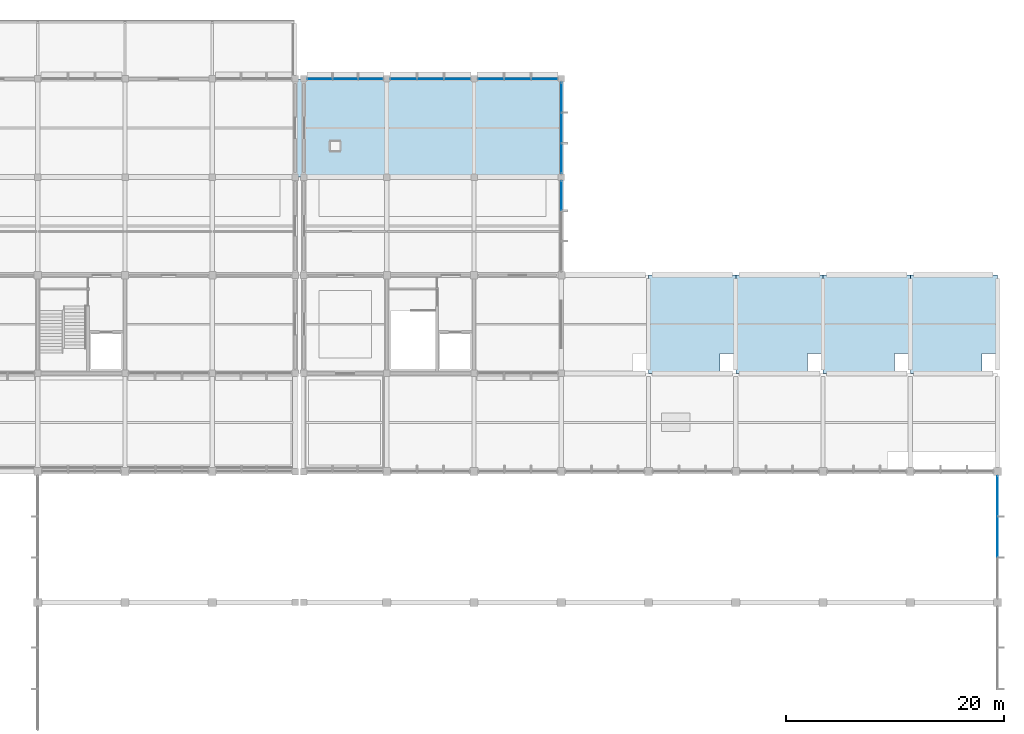
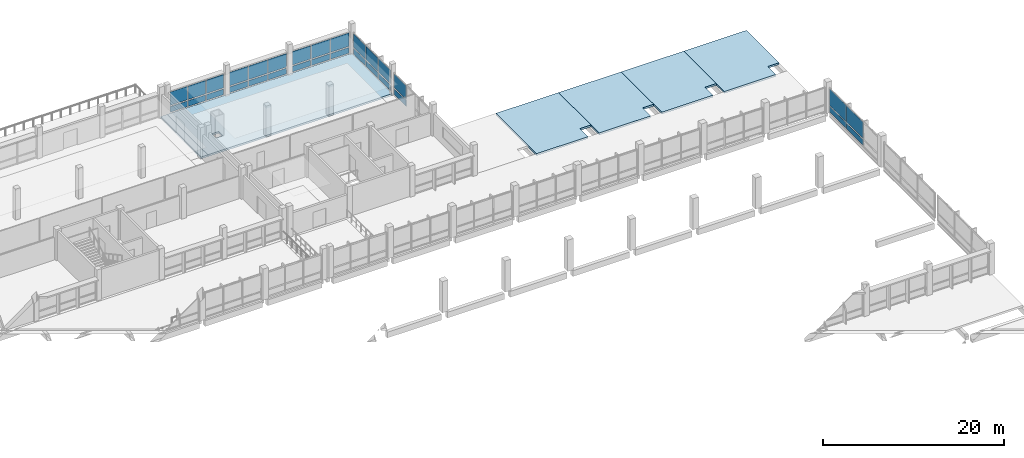
# One storey, part 54 of 70: 30 plates, 6 slabs, 6 elements without a shape of their own.
"""IFC4 building model written with IfcOpenShell, lengths in metres."""

from ifc_helpers import new_model, si_unit, direction, frame, origin, origin_2d, place, context, subcontext, project, spatial, polyline, rectangle, outline, extrude, material, layer, layer_set, type_object, element, aggregate, save


model = new_model("IFC4")

# Units and contexts
model_context = context("Model", 3, precision=1e-05, world=origin(), true_north=direction((0.0, 1.0)))
body_context = subcontext(model_context, "Body", "Model", "MODEL_VIEW")
ifc_project = project(units=[si_unit("LENGTHUNIT", "METRE"), si_unit("AREAUNIT", "SQUARE_METRE"), si_unit("VOLUMEUNIT", "CUBIC_METRE"), si_unit("PLANEANGLEUNIT", "RADIAN"), si_unit("MASSUNIT", "GRAM", prefix="KILO"), si_unit("THERMODYNAMICTEMPERATUREUNIT", "KELVIN"), si_unit("POWERUNIT", "WATT")], contexts=[model_context])

# Site, building, storey
site_placement = place(None, origin())
site = spatial("IfcSite", under=ifc_project, at=site_placement, CompositionType="ELEMENT")
building_placement = place(site_placement, origin())
building = spatial("IfcBuilding", under=site, at=building_placement, Name="Kronsvod Quay Wholesale Market", CompositionType="ELEMENT")
storey_placement = place(building_placement, frame((0.0, 0.0, 9.0)))
storey = spatial("IfcBuildingStorey", under=building, at=storey_placement, Name="L02", CompositionType="ELEMENT", Elevation=9.0)

# Curtain wall, plates
ifc_material_1 = material(Name="Thermally broken aluminium and triple low-E glazing", Category="aluminium")
curtain_wall_type_1 = type_object("IfcCurtainWallType", Name="CW_Harbour76x33", PredefinedType="NOTDEFINED", material=ifc_material_1)
curtain_wall_1_placement = place(storey_placement, origin())
curtain_wall_1 = element("IfcCurtainWall", 1, at=curtain_wall_1_placement, inside=storey, type_object=curtain_wall_type_1, Name="CWGX-L02-1284-1260", PredefinedType="NOTDEFINED")
ifc_material_2 = material(Name="Insulated aluminium spandrel panel", Category="aluminium")
ifc_layer_1 = layer(ifc_material_2, 0.048095703125)
ifc_layer_set_1 = layer_set([ifc_layer_1], Name="Insulated aluminium spandrel panel")
plate_type_1 = type_object("IfcPlateType", Name="CWPanel_SP2224x775", PredefinedType="CURTAIN_PANEL", material=ifc_layer_set_1)
plate_1_placement = place(storey_placement, frame((134.517822265625, 126.0, 0.150146484375), z_axis=(0.0, 0.0, 1.0), x_axis=(-1.0, 0.0, 0.0)))
plate_1 = element("IfcPlate", 2, at=plate_1_placement, type_object=plate_type_1, Name="CWGX-L02-1284-1260-PS1", PredefinedType="CURTAIN_PANEL", context=body_context, shape_type="SweptSolid", body=[
    extrude(rectangle(XDim=2.22412109375, YDim=0.048095703125, at=origin_2d()), origin(), (0.0, 0.0, 1.0), 0.77490234375),
])
plate_2_placement = place(storey_placement, frame((129.882080078125, 126.0, 0.150146484375), z_axis=(0.0, 0.0, 1.0), x_axis=(-1.0, 0.0, 0.0)))
plate_2 = element("IfcPlate", 3, at=plate_2_placement, type_object=plate_type_1, Name="CWGX-L02-1284-1260-PS3", PredefinedType="CURTAIN_PANEL", context=body_context, shape_type="SweptSolid", body=[
    extrude(rectangle(XDim=2.22412109375, YDim=0.048095703125, at=origin_2d()), origin(), (0.0, 0.0, 1.0), 0.77490234375),
])
ifc_material_3 = material(Name="Insulated aluminium spandrel panel", Category="aluminium")
ifc_layer_2 = layer(ifc_material_3, 0.048095703125)
ifc_layer_set_2 = layer_set([ifc_layer_2], Name="Insulated aluminium spandrel panel")
plate_type_2 = type_object("IfcPlateType", Name="CWPanel_SP2262x775", PredefinedType="CURTAIN_PANEL", material=ifc_layer_set_2)
plate_3_placement = place(storey_placement, frame((132.199951171875, 126.0, 0.150146484375), z_axis=(0.0, 0.0, 1.0), x_axis=(-1.0, 0.0, 0.0)))
plate_3 = element("IfcPlate", 4, at=plate_3_placement, type_object=plate_type_2, Name="CWGX-L02-1284-1260-PS2", PredefinedType="CURTAIN_PANEL", context=body_context, shape_type="SweptSolid", body=[
    extrude(rectangle(XDim=2.261962890625, YDim=0.048095703125, at=origin_2d()), origin(), (0.0, 0.0, 1.0), 0.77490234375),
])

ifc_material_4 = material(Name="Thermally broken aluminium and triple low-E glazing", Category="aluminium")
curtain_wall_type_2 = type_object("IfcCurtainWallType", Name="CW_Harbour80x33", PredefinedType="NOTDEFINED", material=ifc_material_4)
curtain_wall_2_placement = place(storey_placement, origin())
curtain_wall_2 = element("IfcCurtainWall", 5, at=curtain_wall_2_placement, inside=storey, type_object=curtain_wall_type_2, Name="CWGX-L02-1360-1260", PredefinedType="NOTDEFINED")
ifc_material_5 = material(Name="Insulated aluminium spandrel panel", Category="aluminium")
ifc_layer_3 = layer(ifc_material_5, 0.048095703125)
ifc_layer_set_3 = layer_set([ifc_layer_3], Name="Insulated aluminium spandrel panel")
plate_type_3 = type_object("IfcPlateType", Name="CWPanel_SP2358x775", PredefinedType="CURTAIN_PANEL", material=ifc_layer_set_3)
plate_4_placement = place(storey_placement, frame((142.451171875, 126.0, 0.150146484375), z_axis=(0.0, 0.0, 1.0), x_axis=(-1.0, 0.0, 0.0)))
plate_4 = element("IfcPlate", 6, at=plate_4_placement, type_object=plate_type_3, Name="CWGX-L02-1360-1260-PS1", PredefinedType="CURTAIN_PANEL", context=body_context, shape_type="SweptSolid", body=[
    extrude(rectangle(XDim=2.35791015625, YDim=0.048095703125, at=origin_2d()), origin(), (0.0, 0.0, 1.0), 0.77490234375),
])
plate_5_placement = place(storey_placement, frame((137.548828125, 126.0, 0.150146484375), z_axis=(0.0, 0.0, 1.0), x_axis=(-1.0, 0.0, 0.0)))
plate_5 = element("IfcPlate", 7, at=plate_5_placement, type_object=plate_type_3, Name="CWGX-L02-1360-1260-PS3", PredefinedType="CURTAIN_PANEL", context=body_context, shape_type="SweptSolid", body=[
    extrude(rectangle(XDim=2.35791015625, YDim=0.048095703125, at=origin_2d()), origin(), (0.0, 0.0, 1.0), 0.77490234375),
])

curtain_wall_3_placement = place(storey_placement, origin())
curtain_wall_3 = element("IfcCurtainWall", 8, at=curtain_wall_3_placement, inside=storey, type_object=curtain_wall_type_2, Name="CWGX-L02-1440-1260", PredefinedType="NOTDEFINED")
plate_6_placement = place(storey_placement, frame((150.451171875, 126.0, 0.150146484375), z_axis=(0.0, 0.0, 1.0), x_axis=(-1.0, 0.0, 0.0)))
plate_6 = element("IfcPlate", 9, at=plate_6_placement, type_object=plate_type_3, Name="CWGX-L02-1440-1260-PS1", PredefinedType="CURTAIN_PANEL", context=body_context, shape_type="SweptSolid", body=[
    extrude(rectangle(XDim=2.35791015625, YDim=0.048095703125, at=origin_2d()), origin(), (0.0, 0.0, 1.0), 0.77490234375),
])
plate_7_placement = place(storey_placement, frame((145.548828125, 126.0, 0.150146484375), z_axis=(0.0, 0.0, 1.0), x_axis=(-1.0, 0.0, 0.0)))
plate_7 = element("IfcPlate", 10, at=plate_7_placement, type_object=plate_type_3, Name="CWGX-L02-1440-1260-PS3", PredefinedType="CURTAIN_PANEL", context=body_context, shape_type="SweptSolid", body=[
    extrude(rectangle(XDim=2.35791015625, YDim=0.048095703125, at=origin_2d()), origin(), (0.0, 0.0, 1.0), 0.77490234375),
])

# Plate
ifc_material_6 = material(Name="Insulated aluminium spandrel panel", Category="aluminium")
ifc_layer_4 = layer(ifc_material_6, 0.048095703125)
ifc_layer_set_4 = layer_set([ifc_layer_4], Name="Insulated aluminium spandrel panel")
plate_type_4 = type_object("IfcPlateType", Name="CWPanel_SP2395x775", PredefinedType="CURTAIN_PANEL", material=ifc_layer_set_4)
plate_8_placement = place(storey_placement, frame((140.0, 126.0, 0.150146484375), z_axis=(0.0, 0.0, 1.0), x_axis=(-1.0, 0.0, 0.0)))
plate_8 = element("IfcPlate", 11, at=plate_8_placement, type_object=plate_type_4, Name="CWGX-L02-1360-1260-PS2", PredefinedType="CURTAIN_PANEL", context=body_context, shape_type="SweptSolid", body=[
    extrude(rectangle(XDim=2.39501953125, YDim=0.048095703125, at=origin_2d()), origin(), (0.0, 0.0, 1.0), 0.77490234375),
])

plate_9_placement = place(storey_placement, frame((148.0, 126.0, 0.150146484375), z_axis=(0.0, 0.0, 1.0), x_axis=(-1.0, 0.0, 0.0)))
plate_9 = element("IfcPlate", 12, at=plate_9_placement, type_object=plate_type_4, Name="CWGX-L02-1440-1260-PS2", PredefinedType="CURTAIN_PANEL", context=body_context, shape_type="SweptSolid", body=[
    extrude(rectangle(XDim=2.39501953125, YDim=0.048095703125, at=origin_2d()), origin(), (0.0, 0.0, 1.0), 0.77490234375),
])

# Curtain wall, plate
ifc_material_7 = material(Name="Thermally broken aluminium and triple low-E glazing", Category="aluminium")
curtain_wall_type_3 = type_object("IfcCurtainWallType", Name="CW_Wing90x33", PredefinedType="NOTDEFINED", material=ifc_material_7)
curtain_wall_4_placement = place(storey_placement, origin())
curtain_wall_4 = element("IfcCurtainWall", 13, at=curtain_wall_4_placement, inside=storey, type_object=curtain_wall_type_3, Name="CWGY-L02-1520-1080", PredefinedType="NOTDEFINED")
ifc_material_8 = material(Name="Insulated aluminium spandrel panel", Category="aluminium")
ifc_layer_5 = layer(ifc_material_8, 0.048095703125)
ifc_layer_set_5 = layer_set([ifc_layer_5], Name="Insulated aluminium spandrel panel")
plate_type_5 = type_object("IfcPlateType", Name="CWPanel_SP2683x775", PredefinedType="CURTAIN_PANEL", material=ifc_layer_set_5)
plate_10_placement = place(storey_placement, frame((152.0, 115.288818359375, 0.150146484375), z_axis=(0.0, 0.0, 1.0), x_axis=(0.0, 1.0, 0.0)))
plate_10 = element("IfcPlate", 14, at=plate_10_placement, type_object=plate_type_5, Name="CWGY-L02-1520-1080-PS3", PredefinedType="CURTAIN_PANEL", context=body_context, shape_type="SweptSolid", body=[
    extrude(rectangle(XDim=2.68310546875, YDim=0.048095703125, at=origin_2d()), origin(), (0.0, 0.0, 1.0), 0.77490234375),
])

# Curtain wall, plates
curtain_wall_5_placement = place(storey_placement, origin())
curtain_wall_5 = element("IfcCurtainWall", 15, at=curtain_wall_5_placement, inside=storey, type_object=curtain_wall_type_3, Name="CWGY-L02-1520-1170", PredefinedType="NOTDEFINED")
ifc_material_9 = material(Name="Insulated aluminium spandrel panel", Category="aluminium")
ifc_layer_6 = layer(ifc_material_9, 0.048095703125)
ifc_layer_set_6 = layer_set([ifc_layer_6], Name="Insulated aluminium spandrel panel")
plate_type_6 = type_object("IfcPlateType", Name="CWPanel_SP2691x775", PredefinedType="CURTAIN_PANEL", material=ifc_layer_set_6)
plate_11_placement = place(storey_placement, frame((152.0, 118.71533203125, 0.150146484375), z_axis=(0.0, 0.0, 1.0), x_axis=(0.0, 1.0, 0.0)))
plate_11 = element("IfcPlate", 16, at=plate_11_placement, type_object=plate_type_6, Name="CWGY-L02-1520-1170-PS1", PredefinedType="CURTAIN_PANEL", context=body_context, shape_type="SweptSolid", body=[
    extrude(rectangle(XDim=2.69091796875, YDim=0.048095703125, at=origin_2d()), origin(), (0.0, 0.0, 1.0), 0.77490234375),
])
plate_12_placement = place(storey_placement, frame((152.0, 124.28466796875, 0.150146484375), z_axis=(0.0, 0.0, 1.0), x_axis=(0.0, 1.0, 0.0)))
plate_12 = element("IfcPlate", 17, at=plate_12_placement, type_object=plate_type_6, Name="CWGY-L02-1520-1170-PS3", PredefinedType="CURTAIN_PANEL", context=body_context, shape_type="SweptSolid", body=[
    extrude(rectangle(XDim=2.69091796875, YDim=0.048095703125, at=origin_2d()), origin(), (0.0, 0.0, 1.0), 0.77490234375),
])
ifc_material_10 = material(Name="Insulated aluminium spandrel panel", Category="aluminium")
ifc_layer_7 = layer(ifc_material_10, 0.048095703125)
ifc_layer_set_7 = layer_set([ifc_layer_7], Name="Insulated aluminium spandrel panel")
plate_type_7 = type_object("IfcPlateType", Name="CWPanel_SP2728x775", PredefinedType="CURTAIN_PANEL", material=ifc_layer_set_7)
plate_13_placement = place(storey_placement, frame((152.0, 121.5, 0.150146484375), z_axis=(0.0, 0.0, 1.0), x_axis=(0.0, 1.0, 0.0)))
plate_13 = element("IfcPlate", 18, at=plate_13_placement, type_object=plate_type_7, Name="CWGY-L02-1520-1170-PS2", PredefinedType="CURTAIN_PANEL", context=body_context, shape_type="SweptSolid", body=[
    extrude(rectangle(XDim=2.72802734375, YDim=0.048095703125, at=origin_2d()), origin(), (0.0, 0.0, 1.0), 0.77490234375),
])

ifc_material_11 = material(Name="Thermally broken aluminium and triple low-E glazing", Category="aluminium")
curtain_wall_type_4 = type_object("IfcCurtainWallType", Name="CW_Flower120x32", PredefinedType="NOTDEFINED", material=ifc_material_11)
curtain_wall_6_placement = place(storey_placement, origin())
curtain_wall_6 = element("IfcCurtainWall", 19, at=curtain_wall_6_placement, inside=storey, type_object=curtain_wall_type_4, Name="CWGY-L02-1920-780", PredefinedType="NOTDEFINED")
ifc_material_12 = material(Name="Insulated aluminium spandrel panel", Category="aluminium")
ifc_layer_8 = layer(ifc_material_12, 0.048095703125)
ifc_layer_set_8 = layer_set([ifc_layer_8], Name="Insulated aluminium spandrel panel")
plate_type_8 = type_object("IfcPlateType", Name="CWPanel_SP3649x775", PredefinedType="CURTAIN_PANEL", material=ifc_layer_set_8)
plate_14_placement = place(storey_placement, frame((192.0, 87.75537109375, 0.150146484375), z_axis=(0.0, 0.0, 1.0), x_axis=(0.0, 1.0, 0.0)))
plate_14 = element("IfcPlate", 20, at=plate_14_placement, type_object=plate_type_8, Name="CWGY-L02-1920-780-PS3", PredefinedType="CURTAIN_PANEL", context=body_context, shape_type="SweptSolid", body=[
    extrude(rectangle(XDim=3.64892578125, YDim=0.048095703125, at=origin_2d()), origin(), (0.0, 0.0, 1.0), 0.77490234375),
])
ifc_material_13 = material(Name="Insulated aluminium spandrel panel", Category="aluminium")
ifc_layer_9 = layer(ifc_material_13, 0.048095703125)
ifc_layer_set_9 = layer_set([ifc_layer_9], Name="Insulated aluminium spandrel panel")
plate_type_9 = type_object("IfcPlateType", Name="CWPanel_SP3687x775", PredefinedType="CURTAIN_PANEL", material=ifc_layer_set_9)
plate_15_placement = place(storey_placement, frame((192.0, 84.012451171875, 0.150146484375), z_axis=(0.0, 0.0, 1.0), x_axis=(0.0, 1.0, 0.0)))
plate_15 = element("IfcPlate", 21, at=plate_15_placement, type_object=plate_type_9, Name="CWGY-L02-1920-780-PS2", PredefinedType="CURTAIN_PANEL", context=body_context, shape_type="SweptSolid", body=[
    extrude(rectangle(XDim=3.68701171875, YDim=0.048095703125, at=origin_2d()), origin(), (0.0, 0.0, 1.0), 0.77490234375),
])

# Plate
ifc_material_14 = material(Name="Triple low-E insulated glazing", Category="glass")
ifc_layer_10 = layer(ifc_material_14, 0.0439453125)
ifc_layer_set_10 = layer_set([ifc_layer_10], Name="Triple low-E insulated glazing")
plate_type_10 = type_object("IfcPlateType", Name="CWPanel_VS2224x1825", PredefinedType="CURTAIN_PANEL", material=ifc_layer_set_10)
plate_16_placement = place(storey_placement, frame((134.517822265625, 126.0, 1.0751953125), z_axis=(0.0, 0.0, 1.0), x_axis=(-1.0, 0.0, 0.0)))
plate_16 = element("IfcPlate", 22, at=plate_16_placement, type_object=plate_type_10, Name="CWGX-L02-1284-1260-PV1", PredefinedType="CURTAIN_PANEL", context=body_context, shape_type="SweptSolid", body=[
    extrude(rectangle(XDim=2.22412109375, YDim=0.0439453125, at=origin_2d()), origin(), (0.0, 0.0, 1.0), 1.824951171875),
])

plate_17_placement = place(storey_placement, frame((129.882080078125, 126.0, 1.0751953125), z_axis=(0.0, 0.0, 1.0), x_axis=(-1.0, 0.0, 0.0)))
plate_17 = element("IfcPlate", 23, at=plate_17_placement, type_object=plate_type_10, Name="CWGX-L02-1284-1260-PV3", PredefinedType="CURTAIN_PANEL", context=body_context, shape_type="SweptSolid", body=[
    extrude(rectangle(XDim=2.22412109375, YDim=0.0439453125, at=origin_2d()), origin(), (0.0, 0.0, 1.0), 1.824951171875),
])

ifc_material_15 = material(Name="Triple low-E insulated glazing", Category="glass")
ifc_layer_11 = layer(ifc_material_15, 0.0439453125)
ifc_layer_set_11 = layer_set([ifc_layer_11], Name="Triple low-E insulated glazing")
plate_type_11 = type_object("IfcPlateType", Name="CWPanel_VS2262x1825", PredefinedType="CURTAIN_PANEL", material=ifc_layer_set_11)
plate_18_placement = place(storey_placement, frame((132.199951171875, 126.0, 1.0751953125), z_axis=(0.0, 0.0, 1.0), x_axis=(-1.0, 0.0, 0.0)))
plate_18 = element("IfcPlate", 24, at=plate_18_placement, type_object=plate_type_11, Name="CWGX-L02-1284-1260-PV2", PredefinedType="CURTAIN_PANEL", context=body_context, shape_type="SweptSolid", body=[
    extrude(rectangle(XDim=2.261962890625, YDim=0.0439453125, at=origin_2d()), origin(), (0.0, 0.0, 1.0), 1.824951171875),
])

aggregate(curtain_wall_1, [plate_1, plate_16, plate_3, plate_18, plate_2, plate_17])

ifc_material_16 = material(Name="Triple low-E insulated glazing", Category="glass")
ifc_layer_12 = layer(ifc_material_16, 0.0439453125)
ifc_layer_set_12 = layer_set([ifc_layer_12], Name="Triple low-E insulated glazing")
plate_type_12 = type_object("IfcPlateType", Name="CWPanel_VS2358x1825", PredefinedType="CURTAIN_PANEL", material=ifc_layer_set_12)
plate_19_placement = place(storey_placement, frame((142.451171875, 126.0, 1.0751953125), z_axis=(0.0, 0.0, 1.0), x_axis=(-1.0, 0.0, 0.0)))
plate_19 = element("IfcPlate", 25, at=plate_19_placement, type_object=plate_type_12, Name="CWGX-L02-1360-1260-PV1", PredefinedType="CURTAIN_PANEL", context=body_context, shape_type="SweptSolid", body=[
    extrude(rectangle(XDim=2.35791015625, YDim=0.0439453125, at=origin_2d()), origin(), (0.0, 0.0, 1.0), 1.824951171875),
])

plate_20_placement = place(storey_placement, frame((137.548828125, 126.0, 1.0751953125), z_axis=(0.0, 0.0, 1.0), x_axis=(-1.0, 0.0, 0.0)))
plate_20 = element("IfcPlate", 26, at=plate_20_placement, type_object=plate_type_12, Name="CWGX-L02-1360-1260-PV3", PredefinedType="CURTAIN_PANEL", context=body_context, shape_type="SweptSolid", body=[
    extrude(rectangle(XDim=2.35791015625, YDim=0.0439453125, at=origin_2d()), origin(), (0.0, 0.0, 1.0), 1.824951171875),
])

plate_21_placement = place(storey_placement, frame((150.451171875, 126.0, 1.0751953125), z_axis=(0.0, 0.0, 1.0), x_axis=(-1.0, 0.0, 0.0)))
plate_21 = element("IfcPlate", 27, at=plate_21_placement, type_object=plate_type_12, Name="CWGX-L02-1440-1260-PV1", PredefinedType="CURTAIN_PANEL", context=body_context, shape_type="SweptSolid", body=[
    extrude(rectangle(XDim=2.35791015625, YDim=0.0439453125, at=origin_2d()), origin(), (0.0, 0.0, 1.0), 1.824951171875),
])

plate_22_placement = place(storey_placement, frame((145.548828125, 126.0, 1.0751953125), z_axis=(0.0, 0.0, 1.0), x_axis=(-1.0, 0.0, 0.0)))
plate_22 = element("IfcPlate", 28, at=plate_22_placement, type_object=plate_type_12, Name="CWGX-L02-1440-1260-PV3", PredefinedType="CURTAIN_PANEL", context=body_context, shape_type="SweptSolid", body=[
    extrude(rectangle(XDim=2.35791015625, YDim=0.0439453125, at=origin_2d()), origin(), (0.0, 0.0, 1.0), 1.824951171875),
])

ifc_material_17 = material(Name="Triple low-E insulated glazing", Category="glass")
ifc_layer_13 = layer(ifc_material_17, 0.0439453125)
ifc_layer_set_13 = layer_set([ifc_layer_13], Name="Triple low-E insulated glazing")
plate_type_13 = type_object("IfcPlateType", Name="CWPanel_VS2395x1825", PredefinedType="CURTAIN_PANEL", material=ifc_layer_set_13)
plate_23_placement = place(storey_placement, frame((140.0, 126.0, 1.0751953125), z_axis=(0.0, 0.0, 1.0), x_axis=(-1.0, 0.0, 0.0)))
plate_23 = element("IfcPlate", 29, at=plate_23_placement, type_object=plate_type_13, Name="CWGX-L02-1360-1260-PV2", PredefinedType="CURTAIN_PANEL", context=body_context, shape_type="SweptSolid", body=[
    extrude(rectangle(XDim=2.39501953125, YDim=0.0439453125, at=origin_2d()), origin(), (0.0, 0.0, 1.0), 1.824951171875),
])

aggregate(curtain_wall_2, [plate_4, plate_19, plate_8, plate_23, plate_5, plate_20])

plate_24_placement = place(storey_placement, frame((148.0, 126.0, 1.0751953125), z_axis=(0.0, 0.0, 1.0), x_axis=(-1.0, 0.0, 0.0)))
plate_24 = element("IfcPlate", 30, at=plate_24_placement, type_object=plate_type_13, Name="CWGX-L02-1440-1260-PV2", PredefinedType="CURTAIN_PANEL", context=body_context, shape_type="SweptSolid", body=[
    extrude(rectangle(XDim=2.39501953125, YDim=0.0439453125, at=origin_2d()), origin(), (0.0, 0.0, 1.0), 1.824951171875),
])

aggregate(curtain_wall_3, [plate_6, plate_21, plate_9, plate_24, plate_7, plate_22])

ifc_material_18 = material(Name="Triple low-E insulated glazing", Category="glass")
ifc_layer_14 = layer(ifc_material_18, 0.0439453125)
ifc_layer_set_14 = layer_set([ifc_layer_14], Name="Triple low-E insulated glazing")
plate_type_14 = type_object("IfcPlateType", Name="CWPanel_VS2683x1825", PredefinedType="CURTAIN_PANEL", material=ifc_layer_set_14)
plate_25_placement = place(storey_placement, frame((152.0, 115.288818359375, 1.0751953125), z_axis=(0.0, 0.0, 1.0), x_axis=(0.0, 1.0, 0.0)))
plate_25 = element("IfcPlate", 31, at=plate_25_placement, type_object=plate_type_14, Name="CWGY-L02-1520-1080-PV3", PredefinedType="CURTAIN_PANEL", context=body_context, shape_type="SweptSolid", body=[
    extrude(rectangle(XDim=2.68310546875, YDim=0.0439453125, at=origin_2d()), origin(), (0.0, 0.0, 1.0), 1.824951171875),
])

aggregate(curtain_wall_4, [plate_10, plate_25])

ifc_material_19 = material(Name="Triple low-E insulated glazing", Category="glass")
ifc_layer_15 = layer(ifc_material_19, 0.0439453125)
ifc_layer_set_15 = layer_set([ifc_layer_15], Name="Triple low-E insulated glazing")
plate_type_15 = type_object("IfcPlateType", Name="CWPanel_VS2691x1825", PredefinedType="CURTAIN_PANEL", material=ifc_layer_set_15)
plate_26_placement = place(storey_placement, frame((152.0, 118.71533203125, 1.0751953125), z_axis=(0.0, 0.0, 1.0), x_axis=(0.0, 1.0, 0.0)))
plate_26 = element("IfcPlate", 32, at=plate_26_placement, type_object=plate_type_15, Name="CWGY-L02-1520-1170-PV1", PredefinedType="CURTAIN_PANEL", context=body_context, shape_type="SweptSolid", body=[
    extrude(rectangle(XDim=2.69091796875, YDim=0.0439453125, at=origin_2d()), origin(), (0.0, 0.0, 1.0), 1.824951171875),
])

plate_27_placement = place(storey_placement, frame((152.0, 124.28466796875, 1.0751953125), z_axis=(0.0, 0.0, 1.0), x_axis=(0.0, 1.0, 0.0)))
plate_27 = element("IfcPlate", 33, at=plate_27_placement, type_object=plate_type_15, Name="CWGY-L02-1520-1170-PV3", PredefinedType="CURTAIN_PANEL", context=body_context, shape_type="SweptSolid", body=[
    extrude(rectangle(XDim=2.69091796875, YDim=0.0439453125, at=origin_2d()), origin(), (0.0, 0.0, 1.0), 1.824951171875),
])

ifc_material_20 = material(Name="Triple low-E insulated glazing", Category="glass")
ifc_layer_16 = layer(ifc_material_20, 0.0439453125)
ifc_layer_set_16 = layer_set([ifc_layer_16], Name="Triple low-E insulated glazing")
plate_type_16 = type_object("IfcPlateType", Name="CWPanel_VS2728x1825", PredefinedType="CURTAIN_PANEL", material=ifc_layer_set_16)
plate_28_placement = place(storey_placement, frame((152.0, 121.5, 1.0751953125), z_axis=(0.0, 0.0, 1.0), x_axis=(0.0, 1.0, 0.0)))
plate_28 = element("IfcPlate", 34, at=plate_28_placement, type_object=plate_type_16, Name="CWGY-L02-1520-1170-PV2", PredefinedType="CURTAIN_PANEL", context=body_context, shape_type="SweptSolid", body=[
    extrude(rectangle(XDim=2.72802734375, YDim=0.0439453125, at=origin_2d()), origin(), (0.0, 0.0, 1.0), 1.824951171875),
])

aggregate(curtain_wall_5, [plate_11, plate_26, plate_13, plate_28, plate_12, plate_27])

ifc_material_21 = material(Name="Triple low-E insulated glazing", Category="glass")
ifc_layer_17 = layer(ifc_material_21, 0.0439453125)
ifc_layer_set_17 = layer_set([ifc_layer_17], Name="Triple low-E insulated glazing")
plate_type_17 = type_object("IfcPlateType", Name="CWPanel_VS3649x2195", PredefinedType="CURTAIN_PANEL", material=ifc_layer_set_17)
plate_29_placement = place(storey_placement, frame((192.0, 87.75537109375, 1.0751953125), z_axis=(0.0, 0.0, 1.0), x_axis=(0.0, 1.0, 0.0)))
plate_29 = element("IfcPlate", 35, at=plate_29_placement, type_object=plate_type_17, Name="CWGY-L02-1920-780-PV3", PredefinedType="CURTAIN_PANEL", context=body_context, shape_type="SweptSolid", body=[
    extrude(rectangle(XDim=3.64892578125, YDim=0.0439453125, at=origin_2d()), origin(), (0.0, 0.0, 1.0), 2.195068359375),
])

ifc_material_22 = material(Name="Triple low-E insulated glazing", Category="glass")
ifc_layer_18 = layer(ifc_material_22, 0.0439453125)
ifc_layer_set_18 = layer_set([ifc_layer_18], Name="Triple low-E insulated glazing")
plate_type_18 = type_object("IfcPlateType", Name="CWPanel_VS3687x2195", PredefinedType="CURTAIN_PANEL", material=ifc_layer_set_18)
plate_30_placement = place(storey_placement, frame((192.0, 84.012451171875, 1.0751953125), z_axis=(0.0, 0.0, 1.0), x_axis=(0.0, 1.0, 0.0)))
plate_30 = element("IfcPlate", 36, at=plate_30_placement, type_object=plate_type_18, Name="CWGY-L02-1920-780-PV2", PredefinedType="CURTAIN_PANEL", context=body_context, shape_type="SweptSolid", body=[
    extrude(rectangle(XDim=3.68701171875, YDim=0.0439453125, at=origin_2d()), origin(), (0.0, 0.0, 1.0), 2.195068359375),
])

aggregate(curtain_wall_6, [plate_15, plate_30, plate_14, plate_29])

# Slabs
ifc_material_23 = material(Name="Precast concrete C40/50", Category="concrete")
ifc_layer_19 = layer(ifc_material_23, 0.260009765625)
ifc_layer_set_19 = layer_set([ifc_layer_19], Name="Precast concrete C40/50")
slab_type_1 = type_object("IfcSlabType", Name="Slab_FlatRoof260", PredefinedType="ROOF", material=ifc_layer_set_19)
slab_1_placement = place(storey_placement, frame((0.0, 0.0, -0.260009765625)))
element("IfcSlab", 37, at=slab_1_placement, inside=storey, type_object=slab_type_1, Name="SLB-L02-129", PredefinedType="ROOF", context=body_context, shape_type="SweptSolid", body=[
    extrude(outline(polyline([(160.0, 99.0), (166.56005859375, 99.0), (166.56005859375, 100.800048828125), (168.0, 100.800048828125), (168.0, 108.0), (160.0, 108.0), (160.0, 99.0)])), origin(), (0.0, 0.0, 1.0), 0.260009765625),
])
slab_2_placement = place(storey_placement, frame((0.0, 0.0, -0.260009765625)))
element("IfcSlab", 38, at=slab_2_placement, inside=storey, type_object=slab_type_1, Name="SLB-L02-130", PredefinedType="ROOF", context=body_context, shape_type="SweptSolid", body=[
    extrude(outline(polyline([(168.0, 99.0), (174.56005859375, 99.0), (174.56005859375, 100.800048828125), (176.0, 100.800048828125), (176.0, 108.0), (168.0, 108.0), (168.0, 99.0)])), origin(), (0.0, 0.0, 1.0), 0.260009765625),
])
slab_3_placement = place(storey_placement, frame((0.0, 0.0, -0.260009765625)))
element("IfcSlab", 39, at=slab_3_placement, inside=storey, type_object=slab_type_1, Name="SLB-L02-131", PredefinedType="ROOF", context=body_context, shape_type="SweptSolid", body=[
    extrude(outline(polyline([(176.0, 99.0), (182.56005859375, 99.0), (182.56005859375, 100.800048828125), (184.0, 100.800048828125), (184.0, 108.0), (176.0, 108.0), (176.0, 99.0)])), origin(), (0.0, 0.0, 1.0), 0.260009765625),
])
slab_4_placement = place(storey_placement, frame((0.0, 0.0, -0.260009765625)))
element("IfcSlab", 40, at=slab_4_placement, inside=storey, type_object=slab_type_1, Name="SLB-L02-132", PredefinedType="ROOF", context=body_context, shape_type="SweptSolid", body=[
    extrude(outline(polyline([(184.0, 99.0), (190.56005859375, 99.0), (190.56005859375, 100.800048828125), (192.0, 100.800048828125), (192.0, 108.0), (184.0, 108.0), (184.0, 99.0)])), origin(), (0.0, 0.0, 1.0), 0.260009765625),
])
ifc_material_24 = material(Name="Concrete C35/45", Category="concrete")
ifc_layer_20 = layer(ifc_material_24, 0.25)
ifc_layer_set_20 = layer_set([ifc_layer_20], Name="Concrete C35/45")
slab_type_2 = type_object("IfcSlabType", Name="Slab_Floor250", PredefinedType="FLOOR", material=ifc_layer_set_20)
slab_5_placement = place(storey_placement, frame((0.0, 0.0, -0.25)))
element("IfcSlab", 41, at=slab_5_placement, inside=storey, type_object=slab_type_2, Name="SLB-L02-133", PredefinedType="FLOOR", context=body_context, shape_type="SweptSolid", body=[
    extrude(outline(polyline([(128.419921875, 117.0), (152.0, 117.0), (152.0, 126.0), (128.419921875, 126.0), (128.419921875, 117.0)]), holes=[polyline([(130.820068359375, 119.39990234375), (131.719970703125, 119.39990234375), (131.719970703125, 120.300048828125), (130.820068359375, 120.300048828125), (130.820068359375, 119.39990234375)])]), origin(), (0.0, 0.0, 1.0), 0.25),
])
ifc_material_25 = material(Name="Concrete C35/45", Category="concrete")
ifc_layer_21 = layer(ifc_material_25, 0.2451171875)
ifc_layer_set_21 = layer_set([ifc_layer_21], Name="Concrete C35/45")
slab_type_3 = type_object("IfcSlabType", Name="Slab_JointBridge245", PredefinedType="FLOOR", material=ifc_layer_set_21)
slab_6_placement = place(storey_placement, frame((0.0, 0.0, -0.2451171875)))
element("IfcSlab", 42, at=slab_6_placement, inside=storey, type_object=slab_type_3, Name="SLB-MJ-L02-J2-117", PredefinedType="FLOOR", context=body_context, shape_type="SweptSolid", body=[
    extrude(outline(polyline([(127.580078125, 117.0), (128.419921875, 117.0), (128.419921875, 126.0), (127.580078125, 126.0), (127.580078125, 117.0)])), origin(), (0.0, 0.0, 1.0), 0.2451171875),
])

save(model, "model.ifc")
